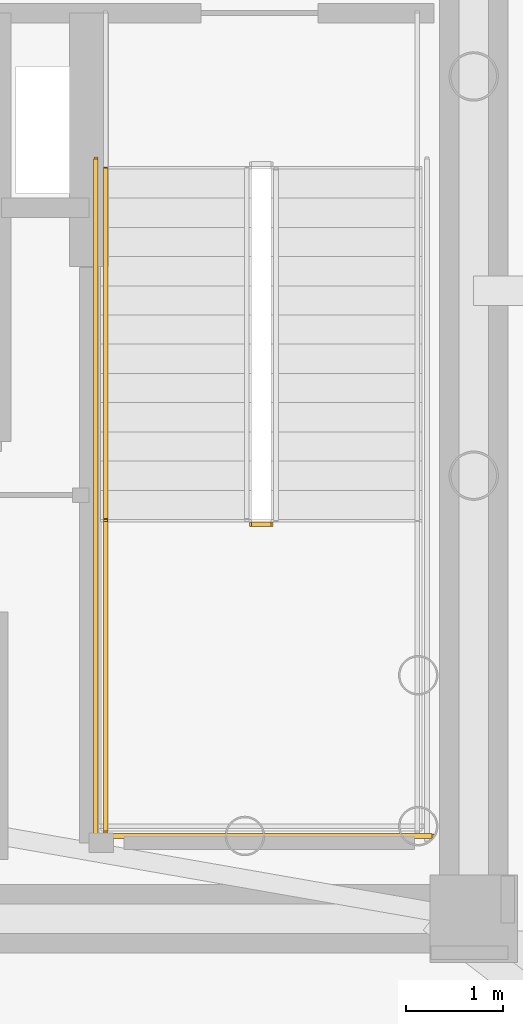
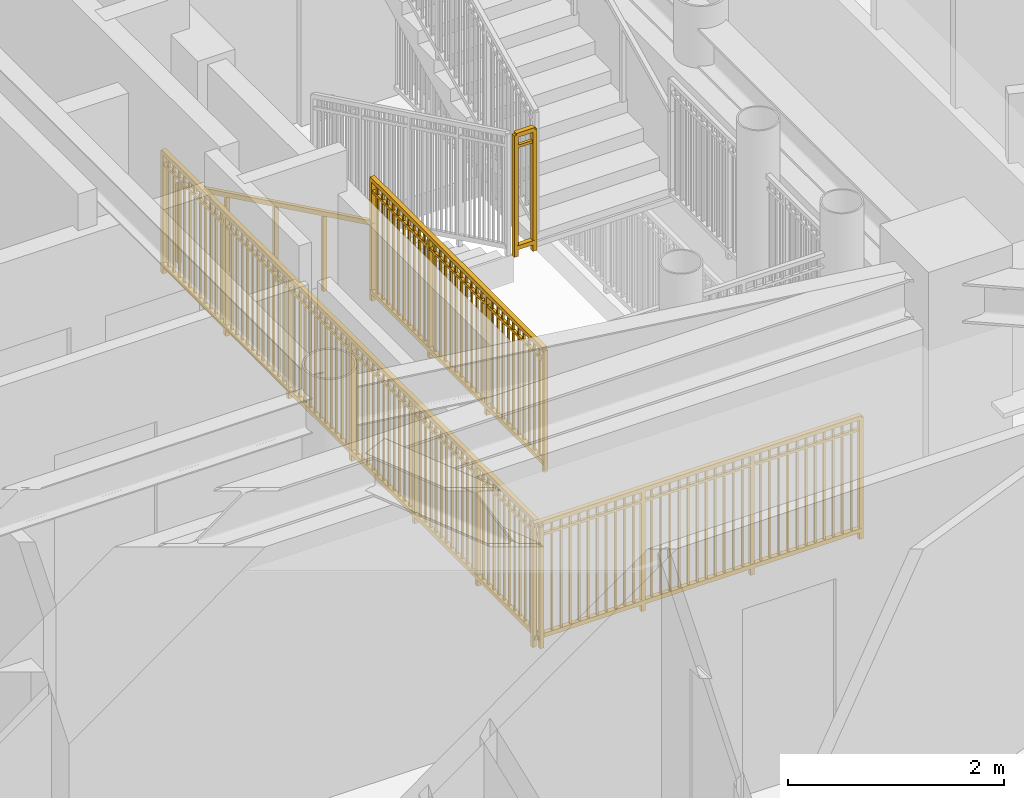
# One storey, part 12 of 17: 5 railings.
"""IFC4 building model written with IfcOpenShell, lengths in metres."""

from ifc_helpers import new_model, si_unit, direction, frame, origin, origin_2d, place, context, subcontext, project, spatial, rectangle, extrude, source, transform, mapped, material, type_object, element, save


model = new_model("IFC4")

# Units and contexts
model_context = context("Model", 3, precision=1e-05, world=origin(), true_north=direction((0.0, 1.0)))
body_context = subcontext(model_context, "Body", "Model", "MODEL_VIEW")
ifc_project = project(units=[si_unit("LENGTHUNIT", "METRE"), si_unit("AREAUNIT", "SQUARE_METRE"), si_unit("VOLUMEUNIT", "CUBIC_METRE"), si_unit("PLANEANGLEUNIT", "RADIAN"), si_unit("MASSUNIT", "GRAM", prefix="KILO")], contexts=[model_context])

# Site, building, storey
site_placement = place(None, origin())
site = spatial("IfcSite", under=ifc_project, at=site_placement, CompositionType="ELEMENT")
building_placement = place(site_placement, origin())
building = spatial("IfcBuilding", under=site, at=building_placement, Name="Linh Dai School and Residence Tower", CompositionType="ELEMENT")
storey_placement = place(building_placement, frame((0.0, 0.0, 335.39990234375)))
storey = spatial("IfcBuildingStorey", under=building, at=storey_placement, Name="L83", CompositionType="ELEMENT", Elevation=335.39990234375)

# Railings
ifc_material_1 = material(Name="Brushed Stainless Steel Handrail", Category="steel")
railing_type_1 = type_object("IfcRailingType", Name="RL-ST-HANDRAIL-900", PredefinedType="HANDRAIL", material=ifc_material_1)
shared_shape_1 = source(origin(), body_context, "Body", "SweptSolid", [
    extrude(rectangle(XDim=0.048095703125, YDim=0.048095703125, at=origin_2d()), frame((0.0, 0.0, 0.8759765625), z_axis=(0.0, -0.898988637874, 0.437971949985), x_axis=(1.0, 0.0, 0.0)), (0.0, 0.0, 1.0), 4.004638671875),
    extrude(rectangle(XDim=0.0419921875, YDim=0.0419921875, at=origin_2d()), origin(), (0.0, 0.0, 1.0), 0.8759765625),
    extrude(rectangle(XDim=0.0419921875, YDim=0.0419921875, at=origin_2d()), frame((0.0, -0.89990234375, 0.4384765625)), (0.0, 0.0, 1.0), 0.8759765625),
    extrude(rectangle(XDim=0.0419921875, YDim=0.0419921875, at=origin_2d()), frame((0.0, -1.800048828125, 0.876953125)), (0.0, 0.0, 1.0), 0.8759765625),
    extrude(rectangle(XDim=0.0419921875, YDim=0.0419921875, at=origin_2d()), frame((0.0, -2.7001953125, 1.3154296875)), (0.0, 0.0, 1.0), 0.8759765625),
    extrude(rectangle(XDim=0.0419921875, YDim=0.0419921875, at=origin_2d()), frame((0.0, -3.60009765625, 1.75390625)), (0.0, 0.0, 1.0), 0.8759765625),
])
railing_1_placement = place(storey_placement, frame((41.070068359375, 28.25, 0.146240234375)))
element("IfcRailing", 1, at=railing_1_placement, inside=storey, type_object=railing_type_1, Name="L83 ST2 stair handrail 1", PredefinedType="HANDRAIL", context=body_context, shape_type="MappedRepresentation", body=[
    mapped(shared_shape_1, transform((0.0, 0.0, 0.0), x_axis=(1.0, 0.0, 0.0), y_axis=(0.0, 1.0, 0.0), z_axis=(0.0, 0.0, 1.0), scale=1.0)),
])
ifc_material_2 = material(Name="Structural Steel S355JR", Category="steel")
railing_type_2 = type_object("IfcRailingType", Name="RL-ST-GUARD-1400", PredefinedType="GUARDRAIL", material=ifc_material_2)
shared_shape_2 = source(origin(), body_context, "Body", "SweptSolid", [
    extrude(rectangle(XDim=0.048095703125, YDim=0.048095703125, at=origin_2d()), frame((0.0, 0.0, 1.3759765625), z_axis=(1.0, 0.0, 0.0), x_axis=(0.0, 1.0, 0.0)), (0.0, 0.0, 1.0), 0.199951171875),
    extrude(rectangle(XDim=0.048095703125, YDim=0.048095703125, at=origin_2d()), frame((0.0, 0.0, 0.10009765625), z_axis=(1.0, 0.0, 0.0), x_axis=(0.0, 1.0, 0.0)), (0.0, 0.0, 1.0), 0.199951171875),
    extrude(rectangle(XDim=0.030029296875, YDim=0.030029296875, at=origin_2d()), frame((0.0, 0.0, 1.239990234375), z_axis=(1.0, 0.0, 0.0), x_axis=(0.0, 1.0, 0.0)), (0.0, 0.0, 1.0), 0.199951171875),
    extrude(rectangle(XDim=0.0419921875, YDim=0.0419921875, at=origin_2d()), origin(), (0.0, 0.0, 1.0), 1.3759765625),
    extrude(rectangle(XDim=0.0419921875, YDim=0.0419921875, at=origin_2d()), frame((0.199951171875, 0.0, 0.0)), (0.0, 0.0, 1.0), 1.3759765625),
])
railing_2_placement = place(storey_placement, frame((42.570068359375, 24.60009765625, 1.900146484375)))
element("IfcRailing", 2, at=railing_2_placement, inside=storey, type_object=railing_type_2, Name="L83 ST2 stair guard 2", PredefinedType="GUARDRAIL", context=body_context, shape_type="MappedRepresentation", body=[
    mapped(shared_shape_2, transform((0.0, 0.0, 0.0), x_axis=(1.0, 0.0, 0.0), y_axis=(0.0, 1.0, 0.0), z_axis=(0.0, 0.0, 1.0), scale=1.0)),
])
shared_shape_3 = source(origin(), body_context, "Body", "SweptSolid", [
    extrude(rectangle(XDim=0.048095703125, YDim=0.048095703125, at=origin_2d()), frame((0.0, 0.0, 1.3759765625), z_axis=(0.0, -1.0, 0.0), x_axis=(1.0, 0.0, 0.0)), (0.0, 0.0, 1.0), 7.0),
    extrude(rectangle(XDim=0.048095703125, YDim=0.048095703125, at=origin_2d()), frame((0.0, 0.0, 0.10009765625), z_axis=(0.0, -1.0, 0.0), x_axis=(1.0, 0.0, 0.0)), (0.0, 0.0, 1.0), 7.0),
    extrude(rectangle(XDim=0.030029296875, YDim=0.030029296875, at=origin_2d()), frame((0.0, 0.0, 1.239990234375), z_axis=(0.0, -1.0, 0.0), x_axis=(1.0, 0.0, 0.0)), (0.0, 0.0, 1.0), 7.0),
    extrude(rectangle(XDim=0.02001953125, YDim=0.02001953125, at=origin_2d()), frame((0.0, -0.09716796875, 0.10009765625)), (0.0, 0.0, 1.0), 1.251708984375),
    extrude(rectangle(XDim=0.02001953125, YDim=0.02001953125, at=origin_2d()), frame((0.0, -0.1943359375, 0.10009765625)), (0.0, 0.0, 1.0), 1.251708984375),
    extrude(rectangle(XDim=0.02001953125, YDim=0.02001953125, at=origin_2d()), frame((0.0, -0.291748046875, 0.10009765625)), (0.0, 0.0, 1.0), 1.251708984375),
    extrude(rectangle(XDim=0.02001953125, YDim=0.02001953125, at=origin_2d()), frame((0.0, -0.388916015625, 0.10009765625)), (0.0, 0.0, 1.0), 1.251708984375),
    extrude(rectangle(XDim=0.02001953125, YDim=0.02001953125, at=origin_2d()), frame((0.0, -0.486083984375, 0.10009765625)), (0.0, 0.0, 1.0), 1.251708984375),
    extrude(rectangle(XDim=0.02001953125, YDim=0.02001953125, at=origin_2d()), frame((0.0, -0.583251953125, 0.10009765625)), (0.0, 0.0, 1.0), 1.251708984375),
    extrude(rectangle(XDim=0.02001953125, YDim=0.02001953125, at=origin_2d()), frame((0.0, -0.6806640625, 0.10009765625)), (0.0, 0.0, 1.0), 1.251708984375),
    extrude(rectangle(XDim=0.02001953125, YDim=0.02001953125, at=origin_2d()), frame((0.0, -0.77783203125, 0.10009765625)), (0.0, 0.0, 1.0), 1.251708984375),
    extrude(rectangle(XDim=0.02001953125, YDim=0.02001953125, at=origin_2d()), frame((0.0, -0.875, 0.10009765625)), (0.0, 0.0, 1.0), 1.251708984375),
    extrude(rectangle(XDim=0.02001953125, YDim=0.02001953125, at=origin_2d()), frame((0.0, -0.97216796875, 0.10009765625)), (0.0, 0.0, 1.0), 1.251708984375),
    extrude(rectangle(XDim=0.02001953125, YDim=0.02001953125, at=origin_2d()), frame((0.0, -1.0693359375, 0.10009765625)), (0.0, 0.0, 1.0), 1.251708984375),
    extrude(rectangle(XDim=0.02001953125, YDim=0.02001953125, at=origin_2d()), frame((0.0, -1.263916015625, 0.10009765625)), (0.0, 0.0, 1.0), 1.251708984375),
    extrude(rectangle(XDim=0.02001953125, YDim=0.02001953125, at=origin_2d()), frame((0.0, -1.361083984375, 0.10009765625)), (0.0, 0.0, 1.0), 1.251708984375),
    extrude(rectangle(XDim=0.02001953125, YDim=0.02001953125, at=origin_2d()), frame((0.0, -1.458251953125, 0.10009765625)), (0.0, 0.0, 1.0), 1.251708984375),
    extrude(rectangle(XDim=0.02001953125, YDim=0.02001953125, at=origin_2d()), frame((0.0, -1.5556640625, 0.10009765625)), (0.0, 0.0, 1.0), 1.251708984375),
    extrude(rectangle(XDim=0.02001953125, YDim=0.02001953125, at=origin_2d()), frame((0.0, -1.65283203125, 0.10009765625)), (0.0, 0.0, 1.0), 1.251708984375),
    extrude(rectangle(XDim=0.02001953125, YDim=0.02001953125, at=origin_2d()), frame((0.0, -1.75, 0.10009765625)), (0.0, 0.0, 1.0), 1.251708984375),
    extrude(rectangle(XDim=0.02001953125, YDim=0.02001953125, at=origin_2d()), frame((0.0, -1.84716796875, 0.10009765625)), (0.0, 0.0, 1.0), 1.251708984375),
    extrude(rectangle(XDim=0.02001953125, YDim=0.02001953125, at=origin_2d()), frame((0.0, -1.9443359375, 0.10009765625)), (0.0, 0.0, 1.0), 1.251708984375),
    extrude(rectangle(XDim=0.02001953125, YDim=0.02001953125, at=origin_2d()), frame((0.0, -2.041748046875, 0.10009765625)), (0.0, 0.0, 1.0), 1.251708984375),
    extrude(rectangle(XDim=0.02001953125, YDim=0.02001953125, at=origin_2d()), frame((0.0, -2.138916015625, 0.10009765625)), (0.0, 0.0, 1.0), 1.251708984375),
    extrude(rectangle(XDim=0.02001953125, YDim=0.02001953125, at=origin_2d()), frame((0.0, -2.236083984375, 0.10009765625)), (0.0, 0.0, 1.0), 1.251708984375),
    extrude(rectangle(XDim=0.02001953125, YDim=0.02001953125, at=origin_2d()), frame((0.0, -2.4306640625, 0.10009765625)), (0.0, 0.0, 1.0), 1.251708984375),
    extrude(rectangle(XDim=0.02001953125, YDim=0.02001953125, at=origin_2d()), frame((0.0, -2.52783203125, 0.10009765625)), (0.0, 0.0, 1.0), 1.251708984375),
    extrude(rectangle(XDim=0.02001953125, YDim=0.02001953125, at=origin_2d()), frame((0.0, -2.625, 0.10009765625)), (0.0, 0.0, 1.0), 1.251708984375),
    extrude(rectangle(XDim=0.02001953125, YDim=0.02001953125, at=origin_2d()), frame((0.0, -2.72216796875, 0.10009765625)), (0.0, 0.0, 1.0), 1.251708984375),
    extrude(rectangle(XDim=0.02001953125, YDim=0.02001953125, at=origin_2d()), frame((0.0, -2.8193359375, 0.10009765625)), (0.0, 0.0, 1.0), 1.251708984375),
    extrude(rectangle(XDim=0.02001953125, YDim=0.02001953125, at=origin_2d()), frame((0.0, -2.916748046875, 0.10009765625)), (0.0, 0.0, 1.0), 1.251708984375),
    extrude(rectangle(XDim=0.02001953125, YDim=0.02001953125, at=origin_2d()), frame((0.0, -3.013916015625, 0.10009765625)), (0.0, 0.0, 1.0), 1.251708984375),
    extrude(rectangle(XDim=0.02001953125, YDim=0.02001953125, at=origin_2d()), frame((0.0, -3.111083984375, 0.10009765625)), (0.0, 0.0, 1.0), 1.251708984375),
    extrude(rectangle(XDim=0.02001953125, YDim=0.02001953125, at=origin_2d()), frame((0.0, -3.208251953125, 0.10009765625)), (0.0, 0.0, 1.0), 1.251708984375),
    extrude(rectangle(XDim=0.02001953125, YDim=0.02001953125, at=origin_2d()), frame((0.0, -3.3056640625, 0.10009765625)), (0.0, 0.0, 1.0), 1.251708984375),
    extrude(rectangle(XDim=0.02001953125, YDim=0.02001953125, at=origin_2d()), frame((0.0, -3.40283203125, 0.10009765625)), (0.0, 0.0, 1.0), 1.251708984375),
    extrude(rectangle(XDim=0.02001953125, YDim=0.02001953125, at=origin_2d()), frame((0.0, -3.59716796875, 0.10009765625)), (0.0, 0.0, 1.0), 1.251708984375),
    extrude(rectangle(XDim=0.02001953125, YDim=0.02001953125, at=origin_2d()), frame((0.0, -3.6943359375, 0.10009765625)), (0.0, 0.0, 1.0), 1.251708984375),
    extrude(rectangle(XDim=0.02001953125, YDim=0.02001953125, at=origin_2d()), frame((0.0, -3.791748046875, 0.10009765625)), (0.0, 0.0, 1.0), 1.251708984375),
    extrude(rectangle(XDim=0.02001953125, YDim=0.02001953125, at=origin_2d()), frame((0.0, -3.888916015625, 0.10009765625)), (0.0, 0.0, 1.0), 1.251708984375),
    extrude(rectangle(XDim=0.02001953125, YDim=0.02001953125, at=origin_2d()), frame((0.0, -3.986083984375, 0.10009765625)), (0.0, 0.0, 1.0), 1.251708984375),
    extrude(rectangle(XDim=0.02001953125, YDim=0.02001953125, at=origin_2d()), frame((0.0, -4.083251953125, 0.10009765625)), (0.0, 0.0, 1.0), 1.251708984375),
    extrude(rectangle(XDim=0.02001953125, YDim=0.02001953125, at=origin_2d()), frame((0.0, -4.1806640625, 0.10009765625)), (0.0, 0.0, 1.0), 1.251708984375),
    extrude(rectangle(XDim=0.02001953125, YDim=0.02001953125, at=origin_2d()), frame((0.0, -4.27783203125, 0.10009765625)), (0.0, 0.0, 1.0), 1.251708984375),
    extrude(rectangle(XDim=0.02001953125, YDim=0.02001953125, at=origin_2d()), frame((0.0, -4.375, 0.10009765625)), (0.0, 0.0, 1.0), 1.251708984375),
    extrude(rectangle(XDim=0.02001953125, YDim=0.02001953125, at=origin_2d()), frame((0.0, -4.47216796875, 0.10009765625)), (0.0, 0.0, 1.0), 1.251708984375),
    extrude(rectangle(XDim=0.02001953125, YDim=0.02001953125, at=origin_2d()), frame((0.0, -4.5693359375, 0.10009765625)), (0.0, 0.0, 1.0), 1.251708984375),
    extrude(rectangle(XDim=0.02001953125, YDim=0.02001953125, at=origin_2d()), frame((0.0, -4.763916015625, 0.10009765625)), (0.0, 0.0, 1.0), 1.251708984375),
    extrude(rectangle(XDim=0.02001953125, YDim=0.02001953125, at=origin_2d()), frame((0.0, -4.861083984375, 0.10009765625)), (0.0, 0.0, 1.0), 1.251708984375),
    extrude(rectangle(XDim=0.02001953125, YDim=0.02001953125, at=origin_2d()), frame((0.0, -4.958251953125, 0.10009765625)), (0.0, 0.0, 1.0), 1.251708984375),
    extrude(rectangle(XDim=0.02001953125, YDim=0.02001953125, at=origin_2d()), frame((0.0, -5.0556640625, 0.10009765625)), (0.0, 0.0, 1.0), 1.251708984375),
    extrude(rectangle(XDim=0.02001953125, YDim=0.02001953125, at=origin_2d()), frame((0.0, -5.15283203125, 0.10009765625)), (0.0, 0.0, 1.0), 1.251708984375),
    extrude(rectangle(XDim=0.02001953125, YDim=0.02001953125, at=origin_2d()), frame((0.0, -5.25, 0.10009765625)), (0.0, 0.0, 1.0), 1.251708984375),
    extrude(rectangle(XDim=0.02001953125, YDim=0.02001953125, at=origin_2d()), frame((0.0, -5.34716796875, 0.10009765625)), (0.0, 0.0, 1.0), 1.251708984375),
    extrude(rectangle(XDim=0.02001953125, YDim=0.02001953125, at=origin_2d()), frame((0.0, -5.4443359375, 0.10009765625)), (0.0, 0.0, 1.0), 1.251708984375),
    extrude(rectangle(XDim=0.02001953125, YDim=0.02001953125, at=origin_2d()), frame((0.0, -5.541748046875, 0.10009765625)), (0.0, 0.0, 1.0), 1.251708984375),
    extrude(rectangle(XDim=0.02001953125, YDim=0.02001953125, at=origin_2d()), frame((0.0, -5.638916015625, 0.10009765625)), (0.0, 0.0, 1.0), 1.251708984375),
    extrude(rectangle(XDim=0.02001953125, YDim=0.02001953125, at=origin_2d()), frame((0.0, -5.736083984375, 0.10009765625)), (0.0, 0.0, 1.0), 1.251708984375),
    extrude(rectangle(XDim=0.02001953125, YDim=0.02001953125, at=origin_2d()), frame((0.0, -5.9306640625, 0.10009765625)), (0.0, 0.0, 1.0), 1.251708984375),
    extrude(rectangle(XDim=0.02001953125, YDim=0.02001953125, at=origin_2d()), frame((0.0, -6.02783203125, 0.10009765625)), (0.0, 0.0, 1.0), 1.251708984375),
    extrude(rectangle(XDim=0.02001953125, YDim=0.02001953125, at=origin_2d()), frame((0.0, -6.125, 0.10009765625)), (0.0, 0.0, 1.0), 1.251708984375),
    extrude(rectangle(XDim=0.02001953125, YDim=0.02001953125, at=origin_2d()), frame((0.0, -6.22216796875, 0.10009765625)), (0.0, 0.0, 1.0), 1.251708984375),
    extrude(rectangle(XDim=0.02001953125, YDim=0.02001953125, at=origin_2d()), frame((0.0, -6.3193359375, 0.10009765625)), (0.0, 0.0, 1.0), 1.251708984375),
    extrude(rectangle(XDim=0.02001953125, YDim=0.02001953125, at=origin_2d()), frame((0.0, -6.416748046875, 0.10009765625)), (0.0, 0.0, 1.0), 1.251708984375),
    extrude(rectangle(XDim=0.02001953125, YDim=0.02001953125, at=origin_2d()), frame((0.0, -6.513916015625, 0.10009765625)), (0.0, 0.0, 1.0), 1.251708984375),
    extrude(rectangle(XDim=0.02001953125, YDim=0.02001953125, at=origin_2d()), frame((0.0, -6.611083984375, 0.10009765625)), (0.0, 0.0, 1.0), 1.251708984375),
    extrude(rectangle(XDim=0.02001953125, YDim=0.02001953125, at=origin_2d()), frame((0.0, -6.708251953125, 0.10009765625)), (0.0, 0.0, 1.0), 1.251708984375),
    extrude(rectangle(XDim=0.02001953125, YDim=0.02001953125, at=origin_2d()), frame((0.0, -6.8056640625, 0.10009765625)), (0.0, 0.0, 1.0), 1.251708984375),
    extrude(rectangle(XDim=0.02001953125, YDim=0.02001953125, at=origin_2d()), frame((0.0, -6.90283203125, 0.10009765625)), (0.0, 0.0, 1.0), 1.251708984375),
    extrude(rectangle(XDim=0.0419921875, YDim=0.0419921875, at=origin_2d()), origin(), (0.0, 0.0, 1.0), 1.3759765625),
    extrude(rectangle(XDim=0.0419921875, YDim=0.0419921875, at=origin_2d()), frame((0.0, -1.166748046875, 0.0)), (0.0, 0.0, 1.0), 1.3759765625),
    extrude(rectangle(XDim=0.0419921875, YDim=0.0419921875, at=origin_2d()), frame((0.0, -2.333251953125, 0.0)), (0.0, 0.0, 1.0), 1.3759765625),
    extrude(rectangle(XDim=0.0419921875, YDim=0.0419921875, at=origin_2d()), frame((0.0, -3.5, 0.0)), (0.0, 0.0, 1.0), 1.3759765625),
    extrude(rectangle(XDim=0.0419921875, YDim=0.0419921875, at=origin_2d()), frame((0.0, -4.666748046875, 0.0)), (0.0, 0.0, 1.0), 1.3759765625),
    extrude(rectangle(XDim=0.0419921875, YDim=0.0419921875, at=origin_2d()), frame((0.0, -5.833251953125, 0.0)), (0.0, 0.0, 1.0), 1.3759765625),
    extrude(rectangle(XDim=0.0419921875, YDim=0.0419921875, at=origin_2d()), frame((0.0, -7.0, 0.0)), (0.0, 0.0, 1.0), 1.3759765625),
])
railing_3_placement = place(storey_placement, frame((40.969970703125, 28.35009765625, 0.0)))
element("IfcRailing", 3, at=railing_3_placement, inside=storey, type_object=railing_type_2, Name="L83 ST2 stair guard 10", PredefinedType="GUARDRAIL", context=body_context, shape_type="MappedRepresentation", body=[
    mapped(shared_shape_3, transform((0.0, 0.0, 0.0), x_axis=(1.0, 0.0, 0.0), y_axis=(0.0, 1.0, 0.0), z_axis=(0.0, 0.0, 1.0), scale=1.0)),
])
shared_shape_4 = source(origin(), body_context, "Body", "SweptSolid", [
    extrude(rectangle(XDim=0.048095703125, YDim=0.048095703125, at=origin_2d()), frame((0.0, 0.0, 1.3759765625), z_axis=(1.0, 0.0, 0.0), x_axis=(0.0, 1.0, 0.0)), (0.0, 0.0, 1.0), 3.5),
    extrude(rectangle(XDim=0.048095703125, YDim=0.048095703125, at=origin_2d()), frame((0.0, 0.0, 0.10009765625), z_axis=(1.0, 0.0, 0.0), x_axis=(0.0, 1.0, 0.0)), (0.0, 0.0, 1.0), 3.5),
    extrude(rectangle(XDim=0.030029296875, YDim=0.030029296875, at=origin_2d()), frame((0.0, 0.0, 1.239990234375), z_axis=(1.0, 0.0, 0.0), x_axis=(0.0, 1.0, 0.0)), (0.0, 0.0, 1.0), 3.5),
    extrude(rectangle(XDim=0.02001953125, YDim=0.02001953125, at=origin_2d()), frame((0.09716796875, 0.0, 0.10009765625)), (0.0, 0.0, 1.0), 1.251708984375),
    extrude(rectangle(XDim=0.02001953125, YDim=0.02001953125, at=origin_2d()), frame((0.1943359375, 0.0, 0.10009765625)), (0.0, 0.0, 1.0), 1.251708984375),
    extrude(rectangle(XDim=0.02001953125, YDim=0.02001953125, at=origin_2d()), frame((0.291748046875, 0.0, 0.10009765625)), (0.0, 0.0, 1.0), 1.251708984375),
    extrude(rectangle(XDim=0.02001953125, YDim=0.02001953125, at=origin_2d()), frame((0.388916015625, 0.0, 0.10009765625)), (0.0, 0.0, 1.0), 1.251708984375),
    extrude(rectangle(XDim=0.02001953125, YDim=0.02001953125, at=origin_2d()), frame((0.486083984375, 0.0, 0.10009765625)), (0.0, 0.0, 1.0), 1.251708984375),
    extrude(rectangle(XDim=0.02001953125, YDim=0.02001953125, at=origin_2d()), frame((0.583251953125, 0.0, 0.10009765625)), (0.0, 0.0, 1.0), 1.251708984375),
    extrude(rectangle(XDim=0.02001953125, YDim=0.02001953125, at=origin_2d()), frame((0.6806640625, 0.0, 0.10009765625)), (0.0, 0.0, 1.0), 1.251708984375),
    extrude(rectangle(XDim=0.02001953125, YDim=0.02001953125, at=origin_2d()), frame((0.77783203125, 0.0, 0.10009765625)), (0.0, 0.0, 1.0), 1.251708984375),
    extrude(rectangle(XDim=0.02001953125, YDim=0.02001953125, at=origin_2d()), frame((0.875, 0.0, 0.10009765625)), (0.0, 0.0, 1.0), 1.251708984375),
    extrude(rectangle(XDim=0.02001953125, YDim=0.02001953125, at=origin_2d()), frame((0.97216796875, 0.0, 0.10009765625)), (0.0, 0.0, 1.0), 1.251708984375),
    extrude(rectangle(XDim=0.02001953125, YDim=0.02001953125, at=origin_2d()), frame((1.0693359375, 0.0, 0.10009765625)), (0.0, 0.0, 1.0), 1.251708984375),
    extrude(rectangle(XDim=0.02001953125, YDim=0.02001953125, at=origin_2d()), frame((1.263916015625, 0.0, 0.10009765625)), (0.0, 0.0, 1.0), 1.251708984375),
    extrude(rectangle(XDim=0.02001953125, YDim=0.02001953125, at=origin_2d()), frame((1.361083984375, 0.0, 0.10009765625)), (0.0, 0.0, 1.0), 1.251708984375),
    extrude(rectangle(XDim=0.02001953125, YDim=0.02001953125, at=origin_2d()), frame((1.458251953125, 0.0, 0.10009765625)), (0.0, 0.0, 1.0), 1.251708984375),
    extrude(rectangle(XDim=0.02001953125, YDim=0.02001953125, at=origin_2d()), frame((1.5556640625, 0.0, 0.10009765625)), (0.0, 0.0, 1.0), 1.251708984375),
    extrude(rectangle(XDim=0.02001953125, YDim=0.02001953125, at=origin_2d()), frame((1.65283203125, 0.0, 0.10009765625)), (0.0, 0.0, 1.0), 1.251708984375),
    extrude(rectangle(XDim=0.02001953125, YDim=0.02001953125, at=origin_2d()), frame((1.75, 0.0, 0.10009765625)), (0.0, 0.0, 1.0), 1.251708984375),
    extrude(rectangle(XDim=0.02001953125, YDim=0.02001953125, at=origin_2d()), frame((1.84716796875, 0.0, 0.10009765625)), (0.0, 0.0, 1.0), 1.251708984375),
    extrude(rectangle(XDim=0.02001953125, YDim=0.02001953125, at=origin_2d()), frame((1.9443359375, 0.0, 0.10009765625)), (0.0, 0.0, 1.0), 1.251708984375),
    extrude(rectangle(XDim=0.02001953125, YDim=0.02001953125, at=origin_2d()), frame((2.041748046875, 0.0, 0.10009765625)), (0.0, 0.0, 1.0), 1.251708984375),
    extrude(rectangle(XDim=0.02001953125, YDim=0.02001953125, at=origin_2d()), frame((2.138916015625, 0.0, 0.10009765625)), (0.0, 0.0, 1.0), 1.251708984375),
    extrude(rectangle(XDim=0.02001953125, YDim=0.02001953125, at=origin_2d()), frame((2.236083984375, 0.0, 0.10009765625)), (0.0, 0.0, 1.0), 1.251708984375),
    extrude(rectangle(XDim=0.02001953125, YDim=0.02001953125, at=origin_2d()), frame((2.4306640625, 0.0, 0.10009765625)), (0.0, 0.0, 1.0), 1.251708984375),
    extrude(rectangle(XDim=0.02001953125, YDim=0.02001953125, at=origin_2d()), frame((2.52783203125, 0.0, 0.10009765625)), (0.0, 0.0, 1.0), 1.251708984375),
    extrude(rectangle(XDim=0.02001953125, YDim=0.02001953125, at=origin_2d()), frame((2.625, 0.0, 0.10009765625)), (0.0, 0.0, 1.0), 1.251708984375),
    extrude(rectangle(XDim=0.02001953125, YDim=0.02001953125, at=origin_2d()), frame((2.72216796875, 0.0, 0.10009765625)), (0.0, 0.0, 1.0), 1.251708984375),
    extrude(rectangle(XDim=0.02001953125, YDim=0.02001953125, at=origin_2d()), frame((2.8193359375, 0.0, 0.10009765625)), (0.0, 0.0, 1.0), 1.251708984375),
    extrude(rectangle(XDim=0.02001953125, YDim=0.02001953125, at=origin_2d()), frame((2.916748046875, 0.0, 0.10009765625)), (0.0, 0.0, 1.0), 1.251708984375),
    extrude(rectangle(XDim=0.02001953125, YDim=0.02001953125, at=origin_2d()), frame((3.013916015625, 0.0, 0.10009765625)), (0.0, 0.0, 1.0), 1.251708984375),
    extrude(rectangle(XDim=0.02001953125, YDim=0.02001953125, at=origin_2d()), frame((3.111083984375, 0.0, 0.10009765625)), (0.0, 0.0, 1.0), 1.251708984375),
    extrude(rectangle(XDim=0.02001953125, YDim=0.02001953125, at=origin_2d()), frame((3.208251953125, 0.0, 0.10009765625)), (0.0, 0.0, 1.0), 1.251708984375),
    extrude(rectangle(XDim=0.02001953125, YDim=0.02001953125, at=origin_2d()), frame((3.3056640625, 0.0, 0.10009765625)), (0.0, 0.0, 1.0), 1.251708984375),
    extrude(rectangle(XDim=0.02001953125, YDim=0.02001953125, at=origin_2d()), frame((3.40283203125, 0.0, 0.10009765625)), (0.0, 0.0, 1.0), 1.251708984375),
    extrude(rectangle(XDim=0.0419921875, YDim=0.0419921875, at=origin_2d()), origin(), (0.0, 0.0, 1.0), 1.3759765625),
    extrude(rectangle(XDim=0.0419921875, YDim=0.0419921875, at=origin_2d()), frame((1.166748046875, 0.0, 0.0)), (0.0, 0.0, 1.0), 1.3759765625),
    extrude(rectangle(XDim=0.0419921875, YDim=0.0419921875, at=origin_2d()), frame((2.333251953125, 0.0, 0.0)), (0.0, 0.0, 1.0), 1.3759765625),
    extrude(rectangle(XDim=0.0419921875, YDim=0.0419921875, at=origin_2d()), frame((3.5, 0.0, 0.0)), (0.0, 0.0, 1.0), 1.3759765625),
])
railing_4_placement = place(storey_placement, frame((40.919921875, 21.39990234375, 0.0)))
element("IfcRailing", 4, at=railing_4_placement, inside=storey, type_object=railing_type_2, Name="L83 ST2 stair guard 12", PredefinedType="GUARDRAIL", context=body_context, shape_type="MappedRepresentation", body=[
    mapped(shared_shape_4, transform((0.0, 0.0, 0.0), x_axis=(1.0, 0.0, 0.0), y_axis=(0.0, 1.0, 0.0), z_axis=(0.0, 0.0, 1.0), scale=1.0)),
])
shared_shape_5 = source(origin(), body_context, "Body", "SweptSolid", [
    extrude(rectangle(XDim=0.048095703125, YDim=0.048095703125, at=origin_2d()), frame((0.0, 0.0, 1.3759765625), z_axis=(0.0, -1.0, 0.0), x_axis=(1.0, 0.0, 0.0)), (0.0, 0.0, 1.0), 3.199951171875),
    extrude(rectangle(XDim=0.048095703125, YDim=0.048095703125, at=origin_2d()), frame((0.0, 0.0, 0.10009765625), z_axis=(0.0, -1.0, 0.0), x_axis=(1.0, 0.0, 0.0)), (0.0, 0.0, 1.0), 3.199951171875),
    extrude(rectangle(XDim=0.030029296875, YDim=0.030029296875, at=origin_2d()), frame((0.0, 0.0, 1.239990234375), z_axis=(0.0, -1.0, 0.0), x_axis=(1.0, 0.0, 0.0)), (0.0, 0.0, 1.0), 3.199951171875),
    extrude(rectangle(XDim=0.02001953125, YDim=0.02001953125, at=origin_2d()), frame((0.0, -0.096923828125, 0.10009765625)), (0.0, 0.0, 1.0), 1.251708984375),
    extrude(rectangle(XDim=0.02001953125, YDim=0.02001953125, at=origin_2d()), frame((0.0, -0.19384765625, 0.10009765625)), (0.0, 0.0, 1.0), 1.251708984375),
    extrude(rectangle(XDim=0.02001953125, YDim=0.02001953125, at=origin_2d()), frame((0.0, -0.291015625, 0.10009765625)), (0.0, 0.0, 1.0), 1.251708984375),
    extrude(rectangle(XDim=0.02001953125, YDim=0.02001953125, at=origin_2d()), frame((0.0, -0.387939453125, 0.10009765625)), (0.0, 0.0, 1.0), 1.251708984375),
    extrude(rectangle(XDim=0.02001953125, YDim=0.02001953125, at=origin_2d()), frame((0.0, -0.48486328125, 0.10009765625)), (0.0, 0.0, 1.0), 1.251708984375),
    extrude(rectangle(XDim=0.02001953125, YDim=0.02001953125, at=origin_2d()), frame((0.0, -0.581787109375, 0.10009765625)), (0.0, 0.0, 1.0), 1.251708984375),
    extrude(rectangle(XDim=0.02001953125, YDim=0.02001953125, at=origin_2d()), frame((0.0, -0.6787109375, 0.10009765625)), (0.0, 0.0, 1.0), 1.251708984375),
    extrude(rectangle(XDim=0.02001953125, YDim=0.02001953125, at=origin_2d()), frame((0.0, -0.775634765625, 0.10009765625)), (0.0, 0.0, 1.0), 1.251708984375),
    extrude(rectangle(XDim=0.02001953125, YDim=0.02001953125, at=origin_2d()), frame((0.0, -0.872802734375, 0.10009765625)), (0.0, 0.0, 1.0), 1.251708984375),
    extrude(rectangle(XDim=0.02001953125, YDim=0.02001953125, at=origin_2d()), frame((0.0, -0.9697265625, 0.10009765625)), (0.0, 0.0, 1.0), 1.251708984375),
    extrude(rectangle(XDim=0.02001953125, YDim=0.02001953125, at=origin_2d()), frame((0.0, -1.16357421875, 0.10009765625)), (0.0, 0.0, 1.0), 1.251708984375),
    extrude(rectangle(XDim=0.02001953125, YDim=0.02001953125, at=origin_2d()), frame((0.0, -1.260498046875, 0.10009765625)), (0.0, 0.0, 1.0), 1.251708984375),
    extrude(rectangle(XDim=0.02001953125, YDim=0.02001953125, at=origin_2d()), frame((0.0, -1.357666015625, 0.10009765625)), (0.0, 0.0, 1.0), 1.251708984375),
    extrude(rectangle(XDim=0.02001953125, YDim=0.02001953125, at=origin_2d()), frame((0.0, -1.45458984375, 0.10009765625)), (0.0, 0.0, 1.0), 1.251708984375),
    extrude(rectangle(XDim=0.02001953125, YDim=0.02001953125, at=origin_2d()), frame((0.0, -1.551513671875, 0.10009765625)), (0.0, 0.0, 1.0), 1.251708984375),
    extrude(rectangle(XDim=0.02001953125, YDim=0.02001953125, at=origin_2d()), frame((0.0, -1.6484375, 0.10009765625)), (0.0, 0.0, 1.0), 1.251708984375),
    extrude(rectangle(XDim=0.02001953125, YDim=0.02001953125, at=origin_2d()), frame((0.0, -1.745361328125, 0.10009765625)), (0.0, 0.0, 1.0), 1.251708984375),
    extrude(rectangle(XDim=0.02001953125, YDim=0.02001953125, at=origin_2d()), frame((0.0, -1.84228515625, 0.10009765625)), (0.0, 0.0, 1.0), 1.251708984375),
    extrude(rectangle(XDim=0.02001953125, YDim=0.02001953125, at=origin_2d()), frame((0.0, -1.939453125, 0.10009765625)), (0.0, 0.0, 1.0), 1.251708984375),
    extrude(rectangle(XDim=0.02001953125, YDim=0.02001953125, at=origin_2d()), frame((0.0, -2.036376953125, 0.10009765625)), (0.0, 0.0, 1.0), 1.251708984375),
    extrude(rectangle(XDim=0.02001953125, YDim=0.02001953125, at=origin_2d()), frame((0.0, -2.230224609375, 0.10009765625)), (0.0, 0.0, 1.0), 1.251708984375),
    extrude(rectangle(XDim=0.02001953125, YDim=0.02001953125, at=origin_2d()), frame((0.0, -2.3271484375, 0.10009765625)), (0.0, 0.0, 1.0), 1.251708984375),
    extrude(rectangle(XDim=0.02001953125, YDim=0.02001953125, at=origin_2d()), frame((0.0, -2.42431640625, 0.10009765625)), (0.0, 0.0, 1.0), 1.251708984375),
    extrude(rectangle(XDim=0.02001953125, YDim=0.02001953125, at=origin_2d()), frame((0.0, -2.521240234375, 0.10009765625)), (0.0, 0.0, 1.0), 1.251708984375),
    extrude(rectangle(XDim=0.02001953125, YDim=0.02001953125, at=origin_2d()), frame((0.0, -2.6181640625, 0.10009765625)), (0.0, 0.0, 1.0), 1.251708984375),
    extrude(rectangle(XDim=0.02001953125, YDim=0.02001953125, at=origin_2d()), frame((0.0, -2.715087890625, 0.10009765625)), (0.0, 0.0, 1.0), 1.251708984375),
    extrude(rectangle(XDim=0.02001953125, YDim=0.02001953125, at=origin_2d()), frame((0.0, -2.81201171875, 0.10009765625)), (0.0, 0.0, 1.0), 1.251708984375),
    extrude(rectangle(XDim=0.02001953125, YDim=0.02001953125, at=origin_2d()), frame((0.0, -2.908935546875, 0.10009765625)), (0.0, 0.0, 1.0), 1.251708984375),
    extrude(rectangle(XDim=0.02001953125, YDim=0.02001953125, at=origin_2d()), frame((0.0, -3.006103515625, 0.10009765625)), (0.0, 0.0, 1.0), 1.251708984375),
    extrude(rectangle(XDim=0.02001953125, YDim=0.02001953125, at=origin_2d()), frame((0.0, -3.10302734375, 0.10009765625)), (0.0, 0.0, 1.0), 1.251708984375),
    extrude(rectangle(XDim=0.0419921875, YDim=0.0419921875, at=origin_2d()), origin(), (0.0, 0.0, 1.0), 1.3759765625),
    extrude(rectangle(XDim=0.0419921875, YDim=0.0419921875, at=origin_2d()), frame((0.0, -1.066650390625, 0.0)), (0.0, 0.0, 1.0), 1.3759765625),
    extrude(rectangle(XDim=0.0419921875, YDim=0.0419921875, at=origin_2d()), frame((0.0, -2.13330078125, 0.0)), (0.0, 0.0, 1.0), 1.3759765625),
    extrude(rectangle(XDim=0.0419921875, YDim=0.0419921875, at=origin_2d()), frame((0.0, -3.199951171875, 0.0)), (0.0, 0.0, 1.0), 1.3759765625),
])
railing_5_placement = place(storey_placement, frame((41.070068359375, 24.64990234375, 1.900146484375)))
element("IfcRailing", 5, at=railing_5_placement, inside=storey, type_object=railing_type_2, Name="L83 ST2 stair guard 3", PredefinedType="GUARDRAIL", context=body_context, shape_type="MappedRepresentation", body=[
    mapped(shared_shape_5, transform((0.0, 0.0, 0.0), x_axis=(1.0, 0.0, 0.0), y_axis=(0.0, 1.0, 0.0), z_axis=(0.0, 0.0, 1.0), scale=1.0)),
])

save(model, "model.ifc")
